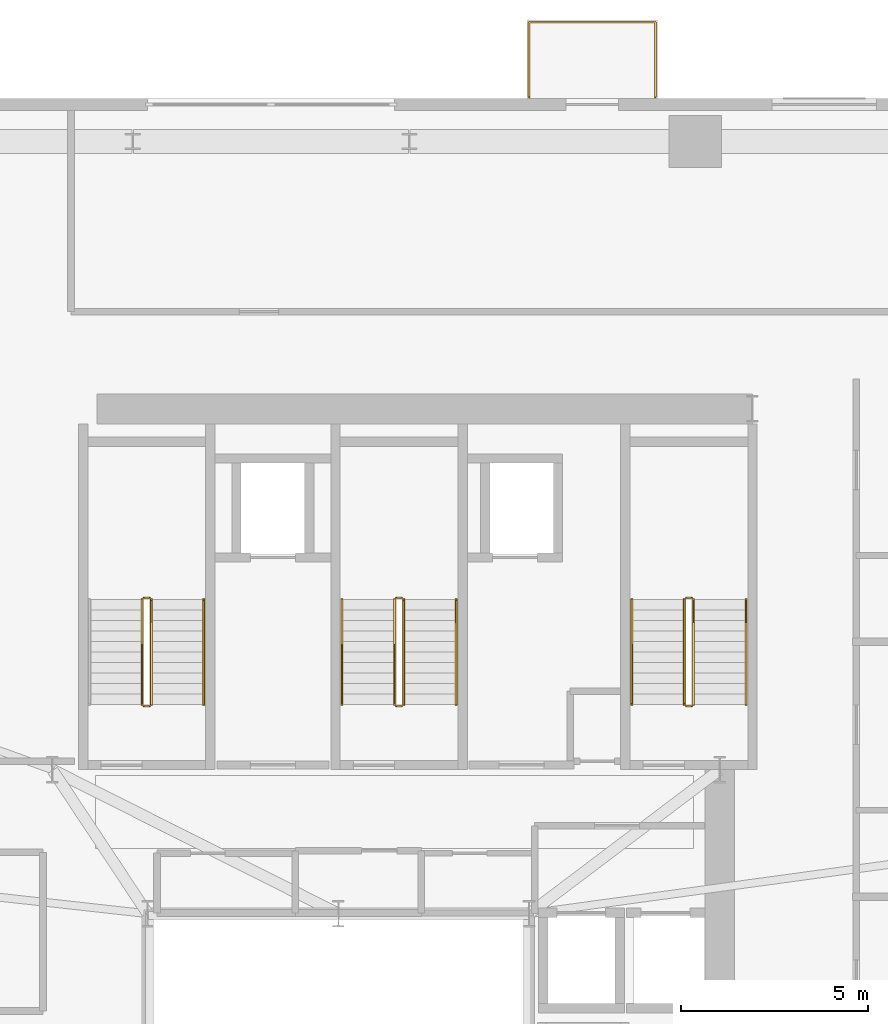
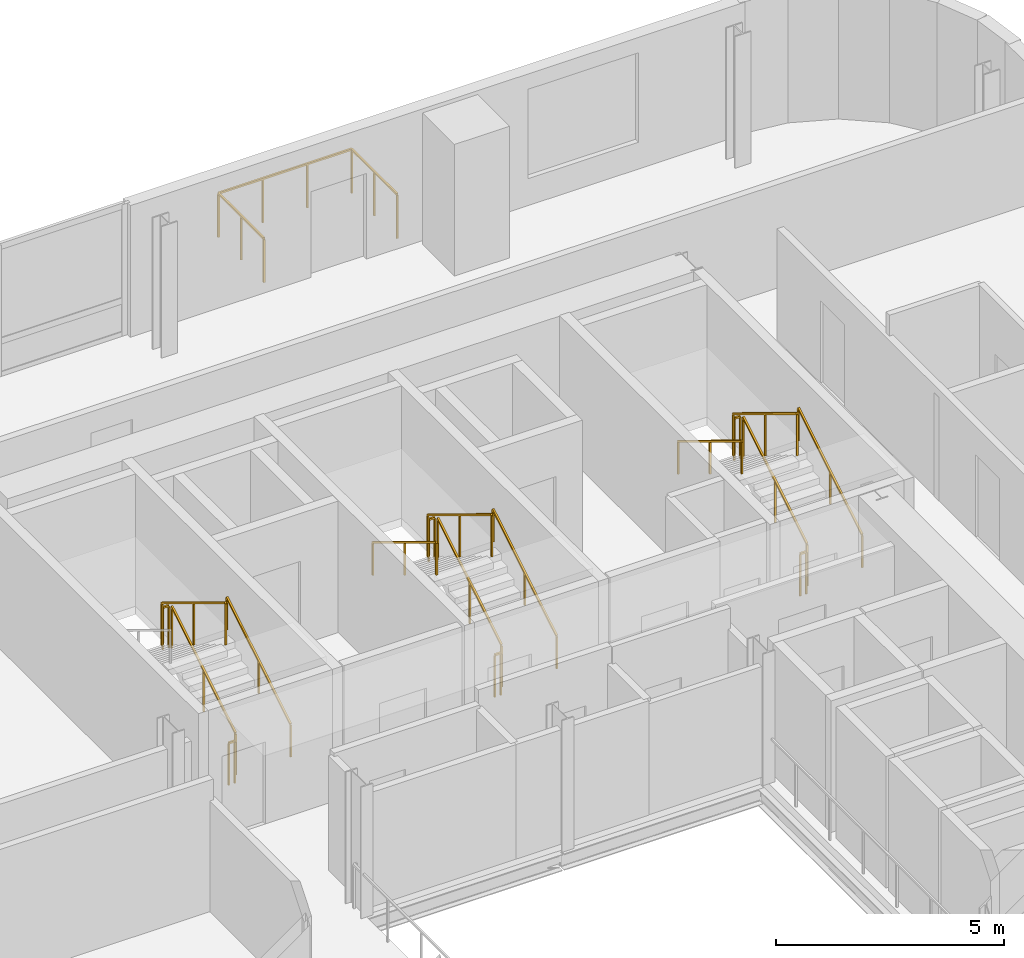
# One storey, part 13 of 13: 18 railings.
"""IFC4 building model written with IfcOpenShell, lengths in metres."""

from ifc_helpers import new_model, si_unit, direction, frame, origin, origin_2d, place, context, subcontext, project, spatial, rectangle, extrude, source, transform, mapped, material, type_object, element, save


model = new_model("IFC4")

# Units and contexts
model_context = context("Model", 3, precision=1e-05, world=origin(), true_north=direction((0.0, 1.0)))
body_context = subcontext(model_context, "Body", "Model", "MODEL_VIEW")
ifc_project = project(units=[si_unit("LENGTHUNIT", "METRE"), si_unit("AREAUNIT", "SQUARE_METRE"), si_unit("VOLUMEUNIT", "CUBIC_METRE"), si_unit("PLANEANGLEUNIT", "RADIAN"), si_unit("MASSUNIT", "GRAM", prefix="KILO")], contexts=[model_context])

# Site, building, storey
site_placement = place(None, origin())
site = spatial("IfcSite", under=ifc_project, at=site_placement, CompositionType="ELEMENT")
building_placement = place(site_placement, origin())
building = spatial("IfcBuilding", under=site, at=building_placement, Name="Vardaveli Station Tower", CompositionType="ELEMENT")
storey_placement = place(building_placement, frame((0.0, 0.0, 196.050048828125)))
storey = spatial("IfcBuildingStorey", under=building, at=storey_placement, Name="L50", CompositionType="ELEMENT", Elevation=196.050048828125)

# Railings
ifc_material_1 = material(Name="Laminated glass and stainless steel balustrade", Category="steel")
railing_type_1 = type_object("IfcRailingType", Name="RL-BAL-1200", PredefinedType="BALUSTRADE", material=ifc_material_1)
shared_shape_1 = source(origin(), body_context, "Body", "SweptSolid", [
    extrude(rectangle(XDim=0.048095703125, YDim=0.048095703125, at=origin_2d()), frame((0.0, 0.0, 1.17578125), z_axis=(0.0, 1.0, 0.0), x_axis=(-1.0, 0.0, 0.0)), (0.0, 0.0, 1.0), 2.0),
    extrude(rectangle(XDim=0.048095703125, YDim=0.048095703125, at=origin_2d()), frame((0.0, 2.0, 1.17578125), z_axis=(1.0, 0.0, 0.0), x_axis=(0.0, 1.0, 0.0)), (0.0, 0.0, 1.0), 3.3798828125),
    extrude(rectangle(XDim=0.048095703125, YDim=0.048095703125, at=origin_2d()), frame((3.3798828125, 2.0, 1.17578125), z_axis=(0.0, -1.0, 0.0), x_axis=(1.0, 0.0, 0.0)), (0.0, 0.0, 1.0), 2.0),
    extrude(rectangle(XDim=0.0419921875, YDim=0.0419921875, at=origin_2d()), origin(), (0.0, 0.0, 1.0), 1.15185546875),
    extrude(rectangle(XDim=0.0419921875, YDim=0.0419921875, at=origin_2d()), frame((0.0, 1.0, 0.0)), (0.0, 0.0, 1.0), 1.15185546875),
    extrude(rectangle(XDim=0.0419921875, YDim=0.0419921875, at=origin_2d()), frame((0.0, 2.0, 0.0)), (0.0, 0.0, 1.0), 1.15185546875),
    extrude(rectangle(XDim=0.0419921875, YDim=0.0419921875, at=origin_2d()), frame((1.126708984375, 2.0, 0.0)), (0.0, 0.0, 1.0), 1.15185546875),
    extrude(rectangle(XDim=0.0419921875, YDim=0.0419921875, at=origin_2d()), frame((2.253173828125, 2.0, 0.0)), (0.0, 0.0, 1.0), 1.15185546875),
    extrude(rectangle(XDim=0.0419921875, YDim=0.0419921875, at=origin_2d()), frame((3.3798828125, 2.0, 0.0)), (0.0, 0.0, 1.0), 1.15185546875),
    extrude(rectangle(XDim=0.0419921875, YDim=0.0419921875, at=origin_2d()), frame((3.3798828125, 1.0, 0.0)), (0.0, 0.0, 1.0), 1.15185546875),
    extrude(rectangle(XDim=0.0419921875, YDim=0.0419921875, at=origin_2d()), frame((3.3798828125, 0.0, 0.0)), (0.0, 0.0, 1.0), 1.15185546875),
])
railing_placement = place(storey_placement, frame((41.399658203125, 48.639892578125, 0.0)))
element("IfcRailing", 1, at=railing_placement, inside=storey, type_object=railing_type_1, Name="RL-LOG-L50-02", PredefinedType="BALUSTRADE", context=body_context, shape_type="MappedRepresentation", body=[
    mapped(shared_shape_1, transform((0.0, 0.0, 0.0), scale=1.0)),
])
ifc_material_2 = material(Name="Brushed AISI 316 stainless steel", Category="steel")
railing_type_2 = type_object("IfcRailingType", Name="RL-GUARD-1150", PredefinedType="GUARDRAIL", material=ifc_material_2)
shared_shape_2 = source(origin(), body_context, "Body", "SweptSolid", [
    extrude(rectangle(XDim=0.048095703125, YDim=0.048095703125, at=origin_2d()), frame((0.0, 0.0, 1.1259765625), z_axis=(-1.0, 0.0, 0.0), x_axis=(0.0, -1.0, 0.0)), (0.0, 0.0, 1.0), 0.14990234375),
    extrude(rectangle(XDim=0.0419921875, YDim=0.0419921875, at=origin_2d()), origin(), (0.0, 0.0, 1.0), 1.101806640625),
    extrude(rectangle(XDim=0.0419921875, YDim=0.0419921875, at=origin_2d()), frame((-0.14990234375, 0.0, 0.0)), (0.0, 0.0, 1.0), 1.101806640625),
])
for number, where, name in (
    (2, (31.25, 35.25, 1.875), "L50 ST-1 stair guard 2"),
    (3, (31.25, 32.35009765625, 0.0), "L50 ST-1 stair guard 4"),
    (4, (38.0, 35.25, 1.875), "L50 ST-2 stair guard 2"),
    (5, (38.0, 32.35009765625, 0.0), "L50 ST-2 stair guard 4"),
    (6, (45.75, 35.25, 1.875), "L50 ST-3 stair guard 2"),
    (7, (45.75, 32.35009765625, 0.0), "L50 ST-3 stair guard 4"),
):
    element("IfcRailing", number, at=place(storey_placement, frame(where)), inside=storey, type_object=railing_type_2, Name=name, PredefinedType="GUARDRAIL", context=body_context, shape_type="MappedRepresentation", body=[
        mapped(shared_shape_2, transform((0.0, 0.0, 0.0), scale=1.0)),
    ])
shared_shape_3 = source(origin(), body_context, "Body", "SweptSolid", [
    extrude(rectangle(XDim=0.048095703125, YDim=0.048095703125, at=origin_2d()), frame((0.0, 0.0, 1.1259765625), z_axis=(0.0, 0.854169791009, 0.51999420009), x_axis=(-1.0, 0.0, 0.0)), (0.0, 0.0, 1.0), 3.278076171875),
    extrude(rectangle(XDim=0.0419921875, YDim=0.0419921875, at=origin_2d()), origin(), (0.0, 0.0, 1.0), 1.101806640625),
    extrude(rectangle(XDim=0.0419921875, YDim=0.0419921875, at=origin_2d()), frame((0.0, 1.39990234375, 0.852294921875)), (0.0, 0.0, 1.0), 1.101806640625),
    extrude(rectangle(XDim=0.0419921875, YDim=0.0419921875, at=origin_2d()), frame((0.0, 2.800048828125, 1.70458984375)), (0.0, 0.0, 1.0), 1.101806640625),
])
for number, where, name in (
    (8, (31.300048828125, 32.39990234375, 0.17041015625), "L50 ST-1 stair guard 1"),
    (9, (38.050048828125, 32.39990234375, 0.17041015625), "L50 ST-2 stair guard 1"),
    (10, (45.800048828125, 32.39990234375, 0.17041015625), "L50 ST-3 stair guard 1"),
):
    element("IfcRailing", number, at=place(storey_placement, frame(where)), inside=storey, type_object=railing_type_2, Name=name, PredefinedType="GUARDRAIL", context=body_context, shape_type="MappedRepresentation", body=[
        mapped(shared_shape_3, transform((0.0, 0.0, 0.0), scale=1.0)),
    ])
shared_shape_4 = source(origin(), body_context, "Body", "SweptSolid", [
    extrude(rectangle(XDim=0.048095703125, YDim=0.048095703125, at=origin_2d()), frame((0.0, 0.0, 1.1259765625), z_axis=(0.0, -0.854169791009, 0.51999420009), x_axis=(1.0, 0.0, 0.0)), (0.0, 0.0, 1.0), 3.278076171875),
    extrude(rectangle(XDim=0.0419921875, YDim=0.0419921875, at=origin_2d()), origin(), (0.0, 0.0, 1.0), 1.101806640625),
    extrude(rectangle(XDim=0.0419921875, YDim=0.0419921875, at=origin_2d()), frame((0.0, -1.39990234375, 0.852294921875)), (0.0, 0.0, 1.0), 1.101806640625),
    extrude(rectangle(XDim=0.0419921875, YDim=0.0419921875, at=origin_2d()), frame((0.0, -2.800048828125, 1.70458984375)), (0.0, 0.0, 1.0), 1.101806640625),
])
for number, where, name in (
    (11, (31.050048828125, 35.199951171875, 2.04541015625), "L50 ST-1 stair guard 3"),
    (12, (37.800048828125, 35.199951171875, 2.04541015625), "L50 ST-2 stair guard 3"),
    (13, (45.550048828125, 35.199951171875, 2.04541015625), "L50 ST-3 stair guard 3"),
):
    element("IfcRailing", number, at=place(storey_placement, frame(where)), inside=storey, type_object=railing_type_2, Name=name, PredefinedType="GUARDRAIL", context=body_context, shape_type="MappedRepresentation", body=[
        mapped(shared_shape_4, transform((0.0, 0.0, 0.0), scale=1.0)),
    ])
railing_type_3 = type_object("IfcRailingType", Name="RL-HAND-900", PredefinedType="HANDRAIL", material=ifc_material_2)
shared_shape_5 = source(origin(), body_context, "Body", "SweptSolid", [
    extrude(rectangle(XDim=0.048095703125, YDim=0.048095703125, at=origin_2d()), frame((0.0, 0.0, 0.8759765625), z_axis=(0.0, 0.854169791009, 0.51999420009), x_axis=(-1.0, 0.0, 0.0)), (0.0, 0.0, 1.0), 3.278076171875),
    extrude(rectangle(XDim=0.0419921875, YDim=0.0419921875, at=origin_2d()), origin(), (0.0, 0.0, 1.0), 0.851806640625),
    extrude(rectangle(XDim=0.0419921875, YDim=0.0419921875, at=origin_2d()), frame((0.0, 1.39990234375, 0.852294921875)), (0.0, 0.0, 1.0), 0.851806640625),
    extrude(rectangle(XDim=0.0419921875, YDim=0.0419921875, at=origin_2d()), frame((0.0, 2.800048828125, 1.70458984375)), (0.0, 0.0, 1.0), 0.851806640625),
])
for number, where, name in (
    (14, (32.699951171875, 32.39990234375, 0.17041015625), "L50 ST-1 stair handrail 1"),
    (15, (39.449951171875, 32.39990234375, 0.17041015625), "L50 ST-2 stair handrail 1"),
    (16, (47.199951171875, 32.39990234375, 0.17041015625), "L50 ST-3 stair handrail 1"),
):
    element("IfcRailing", number, at=place(storey_placement, frame(where)), inside=storey, type_object=railing_type_3, Name=name, PredefinedType="HANDRAIL", context=body_context, shape_type="MappedRepresentation", body=[
        mapped(shared_shape_5, transform((0.0, 0.0, 0.0), scale=1.0)),
    ])
shared_shape_6 = source(origin(), body_context, "Body", "SweptSolid", [
    extrude(rectangle(XDim=0.048095703125, YDim=0.048095703125, at=origin_2d()), frame((0.0, 0.0, 0.8759765625), z_axis=(0.0, -0.854169791009, 0.51999420009), x_axis=(1.0, 0.0, 0.0)), (0.0, 0.0, 1.0), 3.278076171875),
    extrude(rectangle(XDim=0.0419921875, YDim=0.0419921875, at=origin_2d()), origin(), (0.0, 0.0, 1.0), 0.851806640625),
    extrude(rectangle(XDim=0.0419921875, YDim=0.0419921875, at=origin_2d()), frame((0.0, -1.39990234375, 0.852294921875)), (0.0, 0.0, 1.0), 0.851806640625),
    extrude(rectangle(XDim=0.0419921875, YDim=0.0419921875, at=origin_2d()), frame((0.0, -2.800048828125, 1.70458984375)), (0.0, 0.0, 1.0), 0.851806640625),
])
for number, where, name in (
    (17, (36.39990234375, 35.199951171875, 2.04541015625), "L50 ST-2 stair handrail 2"),
    (18, (44.14990234375, 35.199951171875, 2.04541015625), "L50 ST-3 stair handrail 2"),
):
    element("IfcRailing", number, at=place(storey_placement, frame(where)), inside=storey, type_object=railing_type_3, Name=name, PredefinedType="HANDRAIL", context=body_context, shape_type="MappedRepresentation", body=[
        mapped(shared_shape_6, transform((0.0, 0.0, 0.0), scale=1.0)),
    ])

save(model, "model.ifc")
